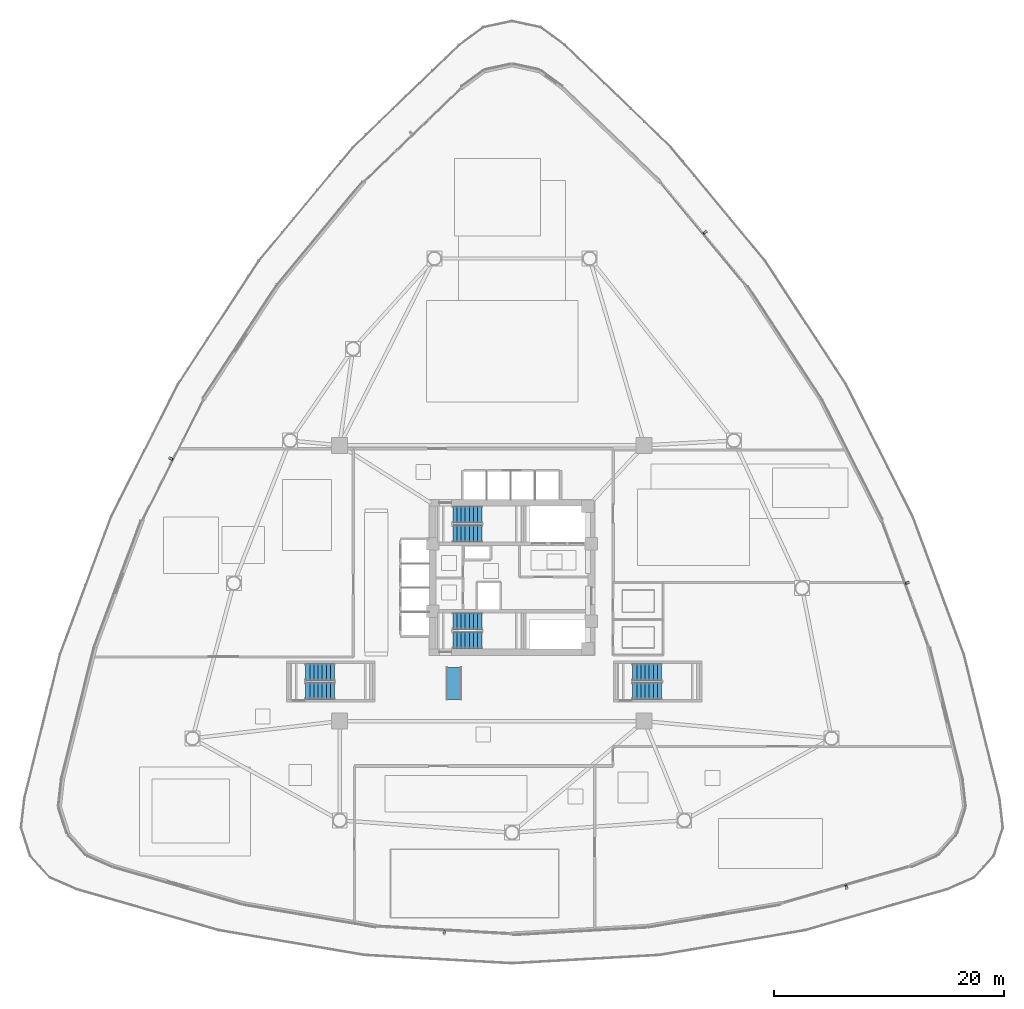
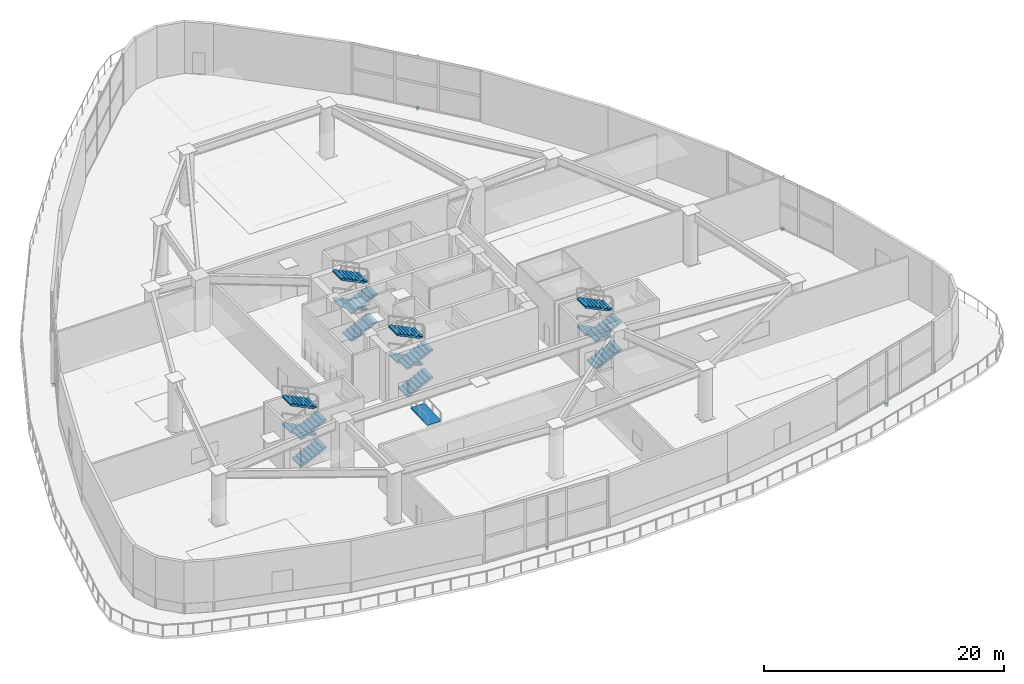
# One storey, part 16 of 26: 16 stair flights, 5 discrete accessories, 1 ramp flight, 5 elements without a shape of their own.
"""IFC4 building model written with IfcOpenShell, lengths in metres."""

import ifcopenshell
import ifcopenshell.guid

model = None  # the IFC model being written
_history = None  # IfcOwnerHistory: only IFC2X3 demands one
_inside = {}  # id of a spatial element -> (the spatial element, [elements in it])
_under = {}  # id of a project, library or spatial element -> (it, [spatial elements below it])
_declared = {}  # id of a project -> (the project, [libraries it declares])
_typed = {}  # id of a type object -> (the type object, [elements of that type])
_made_of = {}  # id of a material, layer set ... -> (it, [elements and type objects made of it])


def new_model(schema):
    """Start an empty IFC model of exactly this schema.

    Asked for "IFC4X3", IfcOpenShell would pick the latest addendum, in which some entities
    have other attributes; the version numbers below select the first issue.
    IFC2X3 requires an IfcOwnerHistory on every rooted entity: one is made here for all.
    """
    global model, _history
    if schema == "IFC4X3":
        model = ifcopenshell.file(schema_version=(4, 3, 0, 0))
    else:
        model = ifcopenshell.file(schema=schema)
    _inside.clear()
    _under.clear()
    _declared.clear()
    _typed.clear()
    _made_of.clear()
    _history = None
    if model.schema == "IFC2X3":
        org = make("IfcOrganization", Name="unknown")
        user = make(
            "IfcPersonAndOrganization",
            ThePerson=make("IfcPerson", FamilyName="unknown"),
            TheOrganization=org,
        )
        app = make(
            "IfcApplication",
            ApplicationDeveloper=org,
            Version="unknown",
            ApplicationFullName="unknown",
            ApplicationIdentifier="unknown",
        )
        _history = make(
            "IfcOwnerHistory",
            OwningUser=user,
            OwningApplication=app,
            ChangeAction="ADDED",
            CreationDate=0,
        )
    return model


def make(cls, **values):
    """One entity of the class cls with the attributes given. An attribute that is None is left unset."""
    return model.create_entity(
        cls, **{name: value for name, value in values.items() if value is not None}
    )


def rooted(cls, **values):
    """An entity with a GlobalId (a new one), such as an element, a storey or a relation."""
    return make(cls, GlobalId=ifcopenshell.guid.new(), OwnerHistory=_history, **values)


def si_unit(unit_type, name, prefix=None):
    """IfcSIUnit, for example si_unit("LENGTHUNIT", "METRE", prefix="MILLI")."""
    return make("IfcSIUnit", UnitType=unit_type, Prefix=prefix, Name=name)


def assignment(units):
    """IfcUnitAssignment: the units of a project."""
    return None if units is None else make("IfcUnitAssignment", Units=units)


def point(xyz):
    """IfcCartesianPoint."""
    return None if xyz is None else make("IfcCartesianPoint", Coordinates=xyz)


def direction(xyz):
    """IfcDirection."""
    return None if xyz is None else make("IfcDirection", DirectionRatios=xyz)


def frame(location, z_axis=None, x_axis=None):
    """IfcAxis2Placement3D, a coordinate frame: its origin and axes. An axis left out is left unset."""
    return make(
        "IfcAxis2Placement3D",
        Location=point(location),
        Axis=direction(z_axis),
        RefDirection=direction(x_axis),
    )


def frame_2d(location, x_axis=None):
    """IfcAxis2Placement2D, a coordinate frame in the plane: its origin and x axis."""
    return make(
        "IfcAxis2Placement2D", Location=point(location), RefDirection=direction(x_axis)
    )


def origin():
    """The frame at (0, 0, 0) with its axes left unset."""
    return frame((0.0, 0.0, 0.0))


def origin_2d():
    """The frame at (0, 0) in the plane with its x axis left unset."""
    return frame_2d((0.0, 0.0))


def place(relative_to, where):
    """IfcLocalPlacement: puts the frame where relative to a parent placement (None: the world)."""
    return make(
        "IfcLocalPlacement", PlacementRelTo=relative_to, RelativePlacement=where
    )


def context(
    kind, dimensions, precision=None, world=None, true_north=None, identifier=None
):
    """IfcGeometricRepresentationContext, for example the 3D "Model" context."""
    return make(
        "IfcGeometricRepresentationContext",
        ContextIdentifier=identifier,
        ContextType=kind,
        CoordinateSpaceDimension=dimensions,
        Precision=precision,
        WorldCoordinateSystem=world,
        TrueNorth=true_north,
    )


def subcontext(parent, identifier, kind, view, scale=None):
    """IfcGeometricRepresentationSubContext, for example "Body" below "Model"."""
    return make(
        "IfcGeometricRepresentationSubContext",
        ContextIdentifier=identifier,
        ContextType=kind,
        ParentContext=parent,
        TargetScale=scale,
        TargetView=view,
    )


def project(units=None, contexts=None):
    """IfcProject with its units and contexts."""
    return rooted(
        "IfcProject",
        Name="project",
        RepresentationContexts=contexts,
        UnitsInContext=assignment(units),
    )


def spatial(cls, under=None, at=None, **own):
    """A site, building, storey or space (cls), placed at a placement, below another one or the project."""
    s = rooted(cls, ObjectPlacement=at, **own)
    if under is not None:
        _under.setdefault(under.id(), (under, []))[1].append(s)
    return s


def polyline(points):
    """IfcPolyline through the points."""
    return make("IfcPolyline", Points=[point(p) for p in points])


def profile(cls, at=None, kind="AREA", **sizes):
    """A parametric profile (cls). Its sizes go by their IFC names, for example OverallWidth=200.0."""
    return make(cls, ProfileType=kind, Position=at, **sizes)


def rectangle(**sizes):
    """IfcRectangleProfileDef."""
    return profile("IfcRectangleProfileDef", **sizes)


def outline(outer, holes=None, kind="AREA"):
    """IfcArbitraryClosedProfileDef: a profile drawn as a closed curve; with holes, ...WithVoids."""
    if holes is None:
        return make("IfcArbitraryClosedProfileDef", ProfileType=kind, OuterCurve=outer)
    return make(
        "IfcArbitraryProfileDefWithVoids",
        ProfileType=kind,
        OuterCurve=outer,
        InnerCurves=holes,
    )


def extrude(swept, where, along, depth):
    """IfcExtrudedAreaSolid: the profile swept, set in the frame where, extruded along a direction by depth."""
    return make(
        "IfcExtrudedAreaSolid",
        SweptArea=swept,
        Position=where,
        ExtrudedDirection=direction(along),
        Depth=depth,
    )


def shape(context_of_items, identifier, shape_type, items):
    """IfcShapeRepresentation: the items that make up one representation, for example the "Body"."""
    return make(
        "IfcShapeRepresentation",
        ContextOfItems=context_of_items,
        RepresentationIdentifier=identifier,
        RepresentationType=shape_type,
        Items=items,
    )


def source(mapping_origin, context_of_items, identifier, shape_type, items):
    """IfcRepresentationMap: a shape defined once, which mapped items show again and again."""
    return make(
        "IfcRepresentationMap",
        MappingOrigin=mapping_origin,
        MappedRepresentation=shape(context_of_items, identifier, shape_type, items),
    )


def transform(
    local_origin,
    x_axis=None,
    y_axis=None,
    z_axis=None,
    scale=None,
    scale2=None,
    scale3=None,
    uniform=True,
):
    """IfcCartesianTransformationOperator3D, or its non-uniform kind. x_axis, y_axis, z_axis: its Axis1, 2, 3."""
    if uniform:
        return make(
            "IfcCartesianTransformationOperator3D",
            Axis1=direction(x_axis),
            Axis2=direction(y_axis),
            LocalOrigin=point(local_origin),
            Scale=scale,
            Axis3=direction(z_axis),
        )
    return make(
        "IfcCartesianTransformationOperator3DnonUniform",
        Axis1=direction(x_axis),
        Axis2=direction(y_axis),
        LocalOrigin=point(local_origin),
        Scale=scale,
        Axis3=direction(z_axis),
        Scale2=scale2,
        Scale3=scale3,
    )


def mapped(mapping_source, mapping_target):
    """IfcMappedItem: shows the shape of a source again, moved by a transform."""
    return make(
        "IfcMappedItem", MappingSource=mapping_source, MappingTarget=mapping_target
    )


def material(Name=None, Category=None):
    """IfcMaterial."""
    return make("IfcMaterial", Name=Name, Category=Category)


def layer(
    of_material, thickness, ventilated=None, Name=None, Category=None, Priority=None
):
    """IfcMaterialLayer: one layer of a wall or slab, of a material (None: an air gap)."""
    return make(
        "IfcMaterialLayer",
        Material=of_material,
        LayerThickness=thickness,
        IsVentilated=ventilated,
        Name=Name,
        Category=Category,
        Priority=Priority,
    )


def layer_set(layers, Name=None):
    """IfcMaterialLayerSet."""
    return make("IfcMaterialLayerSet", MaterialLayers=layers, LayerSetName=Name)


def made_of(thing, what):
    """Note that an element or type object is made of a material, layer set ...; save() writes the relation."""
    if what is not None:
        _made_of.setdefault(what.id(), (what, []))[1].append(thing)
    return thing


def type_object(cls, material=None, **own):
    """A type object (cls), such as IfcWallType, which elements share."""
    return made_of(rooted(cls, **own), material)


def type_shapes(of_type, sources):
    """Give a type object the sources (RepresentationMaps) that its elements show as mapped items."""
    of_type.RepresentationMaps = sources


def element(
    cls,
    number,
    at=None,
    inside=None,
    cuts=None,
    type_object=None,
    material=None,
    context=None,
    identifier="Body",
    shape_type=None,
    held_by="IfcProductDefinitionShape",
    body=None,
    shapes=None,
    **own,
):
    """One element of the class cls, such as IfcWall. Its Tag is "e" and its number.

    at: its placement. inside: the storey or other place that contains it. cuts: it is an
    opening in that element (IfcRelVoidsElement). A single representation is given by context,
    identifier, shape_type and body (its items); several are given by shapes. held_by: the class
    of the entity that holds the representations. save() writes the other relations.
    """
    e = rooted(cls, Tag="e%d" % number, ObjectPlacement=at, **own)
    if body is not None:
        shapes = [shape(context, identifier, shape_type, body)]
    if shapes is not None:
        e.Representation = make(held_by, Representations=shapes)
    if inside is not None:
        _inside.setdefault(inside.id(), (inside, []))[1].append(e)
    if cuts is not None:
        rooted(
            "IfcRelVoidsElement", RelatingBuildingElement=cuts, RelatedOpeningElement=e
        )
    if type_object is not None:
        _typed.setdefault(type_object.id(), (type_object, []))[1].append(e)
    return made_of(e, material)


def aggregate(whole, parts):
    """IfcRelAggregates: a whole, such as a stair, and the parts it consists of."""
    return rooted("IfcRelAggregates", RelatingObject=whole, RelatedObjects=parts)


def save(model, path):
    """Write the relations noted so far, then the file.

    IfcRelAggregates (storeys below a building ...), IfcRelContainedInSpatialStructure (elements
    in a storey), IfcRelDefinesByType, IfcRelAssociatesMaterial and IfcRelDeclares: one each for
    every whole, place, type object, material and project.
    """
    for whole, parts in _under.values():
        aggregate(whole, parts)
    for where, things in _inside.values():
        rooted(
            "IfcRelContainedInSpatialStructure",
            RelatedElements=things,
            RelatingStructure=where,
        )
    for kind, things in _typed.values():
        rooted("IfcRelDefinesByType", RelatedObjects=things, RelatingType=kind)
    for what, things in _made_of.values():
        rooted("IfcRelAssociatesMaterial", RelatedObjects=things, RelatingMaterial=what)
    for by, libraries in _declared.values():
        rooted("IfcRelDeclares", RelatingContext=by, RelatedDefinitions=libraries)
    model.write(path)


model = new_model("IFC4")

# Units and contexts
model_context = context("Model", 3, precision=1e-05, world=origin(), true_north=direction((0.0, 1.0)))
body_context = subcontext(model_context, "Body", "Model", "MODEL_VIEW")
ifc_project = project(units=[si_unit("LENGTHUNIT", "METRE"), si_unit("AREAUNIT", "SQUARE_METRE"), si_unit("VOLUMEUNIT", "CUBIC_METRE"), si_unit("PLANEANGLEUNIT", "RADIAN"), si_unit("MASSUNIT", "GRAM", prefix="KILO")], contexts=[model_context])

# Site, building, storey
site_placement = place(None, origin())
site = spatial("IfcSite", under=ifc_project, at=site_placement, CompositionType="ELEMENT")
building_placement = place(site_placement, origin())
building = spatial("IfcBuilding", under=site, at=building_placement, Name="Tavelor Broadcast Tower", CompositionType="ELEMENT")
storey_placement = place(building_placement, frame((0.0, 0.0, 5.800048828125)))
storey = spatial("IfcBuildingStorey", under=building, at=storey_placement, Name="L01", CompositionType="ELEMENT", Elevation=5.800048828125)

# Stair, stair flights
ifc_material_1 = material(Name="Concrete C40/50", Category="concrete")
stair_type = type_object("IfcStairType", Name="Reinforced Concrete Protected Dogleg Stair 1450 mm", PredefinedType="HALF_TURN_STAIR", material=ifc_material_1)
stair_1_placement = place(storey_placement, origin())
stair_1 = element("IfcStair", 1, at=stair_1_placement, inside=storey, type_object=stair_type, Name="L01 Protected Core Exit Stair ST1", PredefinedType="HALF_TURN_STAIR")
stair_flight_type = type_object("IfcStairFlightType", Name="Reinforced Concrete Stair Flight 1450 mm", PredefinedType="STRAIGHT", material=ifc_material_1)
stair_flight_1_placement = place(storey_placement, frame((44.85009765625, 48.824951171875, 0.0), z_axis=(0.0, 0.0, 1.0), x_axis=(1.0, 0.0, 0.0)))
stair_flight_1 = element("IfcStairFlight", 2, at=stair_flight_1_placement, type_object=stair_flight_type, Name="ST1 flight 1", NumberOfRisers=8, NumberOfTreads=7, PredefinedType="STRAIGHT", RiserHeight=0.175, TreadLength=0.36, context=body_context, shape_type="SweptSolid", body=[
    extrude(outline(polyline([(0.0, 0.0), (0.0, 0.175048828125), (0.360107421875, 0.175048828125), (0.360107421875, 0.35009765625), (0.719970703125, 0.35009765625), (0.719970703125, 0.52490234375), (1.080078125, 0.52490234375), (1.080078125, 0.699951171875), (1.43994140625, 0.699951171875), (1.43994140625, 0.875), (1.800048828125, 0.875), (1.800048828125, 1.050048828125), (2.159912109375, 1.050048828125), (2.159912109375, 1.22509765625), (2.52001953125, 1.22509765625), (2.52001953125, 1.39990234375), (2.52001953125, 1.058349609375), (0.3427734375, 0.0), (0.0, 0.0)])), frame((0.0, 0.72509765625, 0.0), z_axis=(0.0, -1.0, 0.0), x_axis=(1.0, 0.0, 0.0)), (0.0, 0.0, 1.0), 1.449951171875),
])
stair_flight_2_placement = place(storey_placement, frame((47.3701171875, 50.47509765625, 1.39990234375), z_axis=(0.0, 0.0, 1.0), x_axis=(-1.0, 0.0, 0.0)))
stair_flight_2 = element("IfcStairFlight", 3, at=stair_flight_2_placement, type_object=stair_flight_type, Name="ST1 flight 2", NumberOfRisers=8, NumberOfTreads=7, PredefinedType="STRAIGHT", RiserHeight=0.175, TreadLength=0.36, context=body_context, shape_type="SweptSolid", body=[
    extrude(outline(polyline([(0.0, 0.0), (0.0, 0.175048828125), (0.360107421875, 0.175048828125), (0.360107421875, 0.35009765625), (0.719970703125, 0.35009765625), (0.719970703125, 0.52490234375), (1.080078125, 0.52490234375), (1.080078125, 0.699951171875), (1.43994140625, 0.699951171875), (1.43994140625, 0.875), (1.800048828125, 0.875), (1.800048828125, 1.050048828125), (2.159912109375, 1.050048828125), (2.159912109375, 1.22509765625), (2.52001953125, 1.22509765625), (2.52001953125, 1.39990234375), (2.52001953125, 1.058349609375), (0.3427734375, 0.0), (0.0, 0.0)])), frame((0.0, 0.72509765625, 0.0), z_axis=(0.0, -1.0, 0.0), x_axis=(1.0, 0.0, 0.0)), (0.0, 0.0, 1.0), 1.449951171875),
])
stair_flight_3_placement = place(storey_placement, frame((44.85009765625, 48.824951171875, 2.800048828125), z_axis=(0.0, 0.0, 1.0), x_axis=(1.0, 0.0, 0.0)))
stair_flight_3 = element("IfcStairFlight", 4, at=stair_flight_3_placement, type_object=stair_flight_type, Name="ST1 flight 3", NumberOfRisers=8, NumberOfTreads=7, PredefinedType="STRAIGHT", RiserHeight=0.175, TreadLength=0.36, context=body_context, shape_type="SweptSolid", body=[
    extrude(outline(polyline([(0.0, 0.0), (0.0, 0.175048828125), (0.360107421875, 0.175048828125), (0.360107421875, 0.35009765625), (0.719970703125, 0.35009765625), (0.719970703125, 0.52490234375), (1.080078125, 0.52490234375), (1.080078125, 0.699951171875), (1.43994140625, 0.699951171875), (1.43994140625, 0.875), (1.800048828125, 0.875), (1.800048828125, 1.050048828125), (2.159912109375, 1.050048828125), (2.159912109375, 1.22509765625), (2.52001953125, 1.22509765625), (2.52001953125, 1.39990234375), (2.52001953125, 1.058349609375), (0.3427734375, 0.0), (0.0, 0.0)])), frame((0.0, 0.72509765625, 0.0), z_axis=(0.0, -1.0, 0.0), x_axis=(1.0, 0.0, 0.0)), (0.0, 0.0, 1.0), 1.449951171875),
])
stair_flight_4_placement = place(storey_placement, frame((47.3701171875, 50.47509765625, 4.199951171875), z_axis=(0.0, 0.0, 1.0), x_axis=(-1.0, 0.0, 0.0)))
stair_flight_4 = element("IfcStairFlight", 5, at=stair_flight_4_placement, type_object=stair_flight_type, Name="ST1 flight 4", NumberOfRisers=8, NumberOfTreads=7, PredefinedType="STRAIGHT", RiserHeight=0.175, TreadLength=0.36, context=body_context, shape_type="SweptSolid", body=[
    extrude(outline(polyline([(0.0, 0.0), (0.0, 0.175048828125), (0.360107421875, 0.175048828125), (0.360107421875, 0.35009765625), (0.719970703125, 0.35009765625), (0.719970703125, 0.52490234375), (1.080078125, 0.52490234375), (1.080078125, 0.699951171875), (1.43994140625, 0.699951171875), (1.43994140625, 0.875), (1.800048828125, 0.875), (1.800048828125, 1.050048828125), (2.159912109375, 1.050048828125), (2.159912109375, 1.22509765625), (2.52001953125, 1.22509765625), (2.52001953125, 1.39990234375), (2.52001953125, 1.058349609375), (0.3427734375, 0.0), (0.0, 0.0)])), frame((0.0, 0.72509765625, 0.0), z_axis=(0.0, -1.0, 0.0), x_axis=(1.0, 0.0, 0.0)), (0.0, 0.0, 1.0), 1.449951171875),
])
aggregate(stair_1, [stair_flight_1, stair_flight_2, stair_flight_3, stair_flight_4])

stair_2_placement = place(storey_placement, origin())
stair_2 = element("IfcStair", 6, at=stair_2_placement, inside=storey, type_object=stair_type, Name="L01 Protected Core Exit Stair ST2", PredefinedType="HALF_TURN_STAIR")
stair_flight_5_placement = place(storey_placement, frame((44.85009765625, 39.52490234375, 0.0), z_axis=(0.0, 0.0, 1.0), x_axis=(1.0, 0.0, 0.0)))
stair_flight_5 = element("IfcStairFlight", 7, at=stair_flight_5_placement, type_object=stair_flight_type, Name="ST2 flight 1", NumberOfRisers=8, NumberOfTreads=7, PredefinedType="STRAIGHT", RiserHeight=0.175, TreadLength=0.36, context=body_context, shape_type="SweptSolid", body=[
    extrude(outline(polyline([(0.0, 0.0), (0.0, 0.175048828125), (0.360107421875, 0.175048828125), (0.360107421875, 0.35009765625), (0.719970703125, 0.35009765625), (0.719970703125, 0.52490234375), (1.080078125, 0.52490234375), (1.080078125, 0.699951171875), (1.43994140625, 0.699951171875), (1.43994140625, 0.875), (1.800048828125, 0.875), (1.800048828125, 1.050048828125), (2.159912109375, 1.050048828125), (2.159912109375, 1.22509765625), (2.52001953125, 1.22509765625), (2.52001953125, 1.39990234375), (2.52001953125, 1.058349609375), (0.3427734375, 0.0), (0.0, 0.0)])), frame((0.0, 0.72509765625, 0.0), z_axis=(0.0, -1.0, 0.0), x_axis=(1.0, 0.0, 0.0)), (0.0, 0.0, 1.0), 1.449951171875),
])
stair_flight_6_placement = place(storey_placement, frame((47.3701171875, 41.175048828125, 1.39990234375), z_axis=(0.0, 0.0, 1.0), x_axis=(-1.0, 0.0, 0.0)))
stair_flight_6 = element("IfcStairFlight", 8, at=stair_flight_6_placement, type_object=stair_flight_type, Name="ST2 flight 2", NumberOfRisers=8, NumberOfTreads=7, PredefinedType="STRAIGHT", RiserHeight=0.175, TreadLength=0.36, context=body_context, shape_type="SweptSolid", body=[
    extrude(outline(polyline([(0.0, 0.0), (0.0, 0.175048828125), (0.360107421875, 0.175048828125), (0.360107421875, 0.35009765625), (0.719970703125, 0.35009765625), (0.719970703125, 0.52490234375), (1.080078125, 0.52490234375), (1.080078125, 0.699951171875), (1.43994140625, 0.699951171875), (1.43994140625, 0.875), (1.800048828125, 0.875), (1.800048828125, 1.050048828125), (2.159912109375, 1.050048828125), (2.159912109375, 1.22509765625), (2.52001953125, 1.22509765625), (2.52001953125, 1.39990234375), (2.52001953125, 1.058349609375), (0.3427734375, 0.0), (0.0, 0.0)])), frame((0.0, 0.72509765625, 0.0), z_axis=(0.0, -1.0, 0.0), x_axis=(1.0, 0.0, 0.0)), (0.0, 0.0, 1.0), 1.449951171875),
])
stair_flight_7_placement = place(storey_placement, frame((44.85009765625, 39.52490234375, 2.800048828125), z_axis=(0.0, 0.0, 1.0), x_axis=(1.0, 0.0, 0.0)))
stair_flight_7 = element("IfcStairFlight", 9, at=stair_flight_7_placement, type_object=stair_flight_type, Name="ST2 flight 3", NumberOfRisers=8, NumberOfTreads=7, PredefinedType="STRAIGHT", RiserHeight=0.175, TreadLength=0.36, context=body_context, shape_type="SweptSolid", body=[
    extrude(outline(polyline([(0.0, 0.0), (0.0, 0.175048828125), (0.360107421875, 0.175048828125), (0.360107421875, 0.35009765625), (0.719970703125, 0.35009765625), (0.719970703125, 0.52490234375), (1.080078125, 0.52490234375), (1.080078125, 0.699951171875), (1.43994140625, 0.699951171875), (1.43994140625, 0.875), (1.800048828125, 0.875), (1.800048828125, 1.050048828125), (2.159912109375, 1.050048828125), (2.159912109375, 1.22509765625), (2.52001953125, 1.22509765625), (2.52001953125, 1.39990234375), (2.52001953125, 1.058349609375), (0.3427734375, 0.0), (0.0, 0.0)])), frame((0.0, 0.72509765625, 0.0), z_axis=(0.0, -1.0, 0.0), x_axis=(1.0, 0.0, 0.0)), (0.0, 0.0, 1.0), 1.449951171875),
])
stair_flight_8_placement = place(storey_placement, frame((47.3701171875, 41.175048828125, 4.199951171875), z_axis=(0.0, 0.0, 1.0), x_axis=(-1.0, 0.0, 0.0)))
stair_flight_8 = element("IfcStairFlight", 10, at=stair_flight_8_placement, type_object=stair_flight_type, Name="ST2 flight 4", NumberOfRisers=8, NumberOfTreads=7, PredefinedType="STRAIGHT", RiserHeight=0.175, TreadLength=0.36, context=body_context, shape_type="SweptSolid", body=[
    extrude(outline(polyline([(0.0, 0.0), (0.0, 0.175048828125), (0.360107421875, 0.175048828125), (0.360107421875, 0.35009765625), (0.719970703125, 0.35009765625), (0.719970703125, 0.52490234375), (1.080078125, 0.52490234375), (1.080078125, 0.699951171875), (1.43994140625, 0.699951171875), (1.43994140625, 0.875), (1.800048828125, 0.875), (1.800048828125, 1.050048828125), (2.159912109375, 1.050048828125), (2.159912109375, 1.22509765625), (2.52001953125, 1.22509765625), (2.52001953125, 1.39990234375), (2.52001953125, 1.058349609375), (0.3427734375, 0.0), (0.0, 0.0)])), frame((0.0, 0.72509765625, 0.0), z_axis=(0.0, -1.0, 0.0), x_axis=(1.0, 0.0, 0.0)), (0.0, 0.0, 1.0), 1.449951171875),
])
aggregate(stair_2, [stair_flight_5, stair_flight_6, stair_flight_7, stair_flight_8])

stair_3_placement = place(storey_placement, origin())
stair_3 = element("IfcStair", 11, at=stair_3_placement, inside=storey, type_object=stair_type, Name="L01 Podium West Exit Stair ST3", PredefinedType="HALF_TURN_STAIR")
stair_flight_9_placement = place(storey_placement, frame((32.050048828125, 35.125, 0.0), z_axis=(0.0, 0.0, 1.0), x_axis=(1.0, 0.0, 0.0)))
stair_flight_9 = element("IfcStairFlight", 12, at=stair_flight_9_placement, type_object=stair_flight_type, Name="ST3 flight 1", NumberOfRisers=8, NumberOfTreads=7, PredefinedType="STRAIGHT", RiserHeight=0.175, TreadLength=0.36, context=body_context, shape_type="SweptSolid", body=[
    extrude(outline(polyline([(0.0, 0.0), (0.0, 0.175048828125), (0.360107421875, 0.175048828125), (0.360107421875, 0.35009765625), (0.719970703125, 0.35009765625), (0.719970703125, 0.52490234375), (1.080078125, 0.52490234375), (1.080078125, 0.699951171875), (1.43994140625, 0.699951171875), (1.43994140625, 0.875), (1.800048828125, 0.875), (1.800048828125, 1.050048828125), (2.159912109375, 1.050048828125), (2.159912109375, 1.22509765625), (2.52001953125, 1.22509765625), (2.52001953125, 1.39990234375), (2.52001953125, 1.058349609375), (0.3427734375, 0.0), (0.0, 0.0)])), frame((0.0, 0.72509765625, 0.0), z_axis=(0.0, -1.0, 0.0), x_axis=(1.0, 0.0, 0.0)), (0.0, 0.0, 1.0), 1.449951171875),
])
stair_flight_10_placement = place(storey_placement, frame((34.570068359375, 36.77490234375, 1.39990234375), z_axis=(0.0, 0.0, 1.0), x_axis=(-1.0, 0.0, 0.0)))
stair_flight_10 = element("IfcStairFlight", 13, at=stair_flight_10_placement, type_object=stair_flight_type, Name="ST3 flight 2", NumberOfRisers=8, NumberOfTreads=7, PredefinedType="STRAIGHT", RiserHeight=0.175, TreadLength=0.36, context=body_context, shape_type="SweptSolid", body=[
    extrude(outline(polyline([(0.0, 0.0), (0.0, 0.175048828125), (0.360107421875, 0.175048828125), (0.360107421875, 0.35009765625), (0.719970703125, 0.35009765625), (0.719970703125, 0.52490234375), (1.080078125, 0.52490234375), (1.080078125, 0.699951171875), (1.43994140625, 0.699951171875), (1.43994140625, 0.875), (1.800048828125, 0.875), (1.800048828125, 1.050048828125), (2.159912109375, 1.050048828125), (2.159912109375, 1.22509765625), (2.52001953125, 1.22509765625), (2.52001953125, 1.39990234375), (2.52001953125, 1.058349609375), (0.3427734375, 0.0), (0.0, 0.0)])), frame((0.0, 0.72509765625, 0.0), z_axis=(0.0, -1.0, 0.0), x_axis=(1.0, 0.0, 0.0)), (0.0, 0.0, 1.0), 1.449951171875),
])
stair_flight_11_placement = place(storey_placement, frame((32.050048828125, 35.125, 2.800048828125), z_axis=(0.0, 0.0, 1.0), x_axis=(1.0, 0.0, 0.0)))
stair_flight_11 = element("IfcStairFlight", 14, at=stair_flight_11_placement, type_object=stair_flight_type, Name="ST3 flight 3", NumberOfRisers=8, NumberOfTreads=7, PredefinedType="STRAIGHT", RiserHeight=0.175, TreadLength=0.36, context=body_context, shape_type="SweptSolid", body=[
    extrude(outline(polyline([(0.0, 0.0), (0.0, 0.175048828125), (0.360107421875, 0.175048828125), (0.360107421875, 0.35009765625), (0.719970703125, 0.35009765625), (0.719970703125, 0.52490234375), (1.080078125, 0.52490234375), (1.080078125, 0.699951171875), (1.43994140625, 0.699951171875), (1.43994140625, 0.875), (1.800048828125, 0.875), (1.800048828125, 1.050048828125), (2.159912109375, 1.050048828125), (2.159912109375, 1.22509765625), (2.52001953125, 1.22509765625), (2.52001953125, 1.39990234375), (2.52001953125, 1.058349609375), (0.3427734375, 0.0), (0.0, 0.0)])), frame((0.0, 0.72509765625, 0.0), z_axis=(0.0, -1.0, 0.0), x_axis=(1.0, 0.0, 0.0)), (0.0, 0.0, 1.0), 1.449951171875),
])
stair_flight_12_placement = place(storey_placement, frame((34.570068359375, 36.77490234375, 4.199951171875), z_axis=(0.0, 0.0, 1.0), x_axis=(-1.0, 0.0, 0.0)))
stair_flight_12 = element("IfcStairFlight", 15, at=stair_flight_12_placement, type_object=stair_flight_type, Name="ST3 flight 4", NumberOfRisers=8, NumberOfTreads=7, PredefinedType="STRAIGHT", RiserHeight=0.175, TreadLength=0.36, context=body_context, shape_type="SweptSolid", body=[
    extrude(outline(polyline([(0.0, 0.0), (0.0, 0.175048828125), (0.360107421875, 0.175048828125), (0.360107421875, 0.35009765625), (0.719970703125, 0.35009765625), (0.719970703125, 0.52490234375), (1.080078125, 0.52490234375), (1.080078125, 0.699951171875), (1.43994140625, 0.699951171875), (1.43994140625, 0.875), (1.800048828125, 0.875), (1.800048828125, 1.050048828125), (2.159912109375, 1.050048828125), (2.159912109375, 1.22509765625), (2.52001953125, 1.22509765625), (2.52001953125, 1.39990234375), (2.52001953125, 1.058349609375), (0.3427734375, 0.0), (0.0, 0.0)])), frame((0.0, 0.72509765625, 0.0), z_axis=(0.0, -1.0, 0.0), x_axis=(1.0, 0.0, 0.0)), (0.0, 0.0, 1.0), 1.449951171875),
])
aggregate(stair_3, [stair_flight_9, stair_flight_10, stair_flight_11, stair_flight_12])

stair_4_placement = place(storey_placement, origin())
stair_4 = element("IfcStair", 16, at=stair_4_placement, inside=storey, type_object=stair_type, Name="L01 Podium East Exit Stair ST4", PredefinedType="HALF_TURN_STAIR")
stair_flight_13_placement = place(storey_placement, frame((60.5, 35.125, 0.0), z_axis=(0.0, 0.0, 1.0), x_axis=(1.0, 0.0, 0.0)))
stair_flight_13 = element("IfcStairFlight", 17, at=stair_flight_13_placement, type_object=stair_flight_type, Name="ST4 flight 1", NumberOfRisers=8, NumberOfTreads=7, PredefinedType="STRAIGHT", RiserHeight=0.175, TreadLength=0.36, context=body_context, shape_type="SweptSolid", body=[
    extrude(outline(polyline([(0.0, 0.0), (0.0, 0.175048828125), (0.360107421875, 0.175048828125), (0.360107421875, 0.35009765625), (0.719970703125, 0.35009765625), (0.719970703125, 0.52490234375), (1.080078125, 0.52490234375), (1.080078125, 0.699951171875), (1.43994140625, 0.699951171875), (1.43994140625, 0.875), (1.800048828125, 0.875), (1.800048828125, 1.050048828125), (2.159912109375, 1.050048828125), (2.159912109375, 1.22509765625), (2.52001953125, 1.22509765625), (2.52001953125, 1.39990234375), (2.52001953125, 1.058349609375), (0.3427734375, 0.0), (0.0, 0.0)])), frame((0.0, 0.72509765625, 0.0), z_axis=(0.0, -1.0, 0.0), x_axis=(1.0, 0.0, 0.0)), (0.0, 0.0, 1.0), 1.449951171875),
])
stair_flight_14_placement = place(storey_placement, frame((63.02001953125, 36.77490234375, 1.39990234375), z_axis=(0.0, 0.0, 1.0), x_axis=(-1.0, 0.0, 0.0)))
stair_flight_14 = element("IfcStairFlight", 18, at=stair_flight_14_placement, type_object=stair_flight_type, Name="ST4 flight 2", NumberOfRisers=8, NumberOfTreads=7, PredefinedType="STRAIGHT", RiserHeight=0.175, TreadLength=0.36, context=body_context, shape_type="SweptSolid", body=[
    extrude(outline(polyline([(0.0, 0.0), (0.0, 0.175048828125), (0.360107421875, 0.175048828125), (0.360107421875, 0.35009765625), (0.719970703125, 0.35009765625), (0.719970703125, 0.52490234375), (1.080078125, 0.52490234375), (1.080078125, 0.699951171875), (1.43994140625, 0.699951171875), (1.43994140625, 0.875), (1.800048828125, 0.875), (1.800048828125, 1.050048828125), (2.159912109375, 1.050048828125), (2.159912109375, 1.22509765625), (2.52001953125, 1.22509765625), (2.52001953125, 1.39990234375), (2.52001953125, 1.058349609375), (0.3427734375, 0.0), (0.0, 0.0)])), frame((0.0, 0.72509765625, 0.0), z_axis=(0.0, -1.0, 0.0), x_axis=(1.0, 0.0, 0.0)), (0.0, 0.0, 1.0), 1.449951171875),
])
stair_flight_15_placement = place(storey_placement, frame((60.5, 35.125, 2.800048828125), z_axis=(0.0, 0.0, 1.0), x_axis=(1.0, 0.0, 0.0)))
stair_flight_15 = element("IfcStairFlight", 19, at=stair_flight_15_placement, type_object=stair_flight_type, Name="ST4 flight 3", NumberOfRisers=8, NumberOfTreads=7, PredefinedType="STRAIGHT", RiserHeight=0.175, TreadLength=0.36, context=body_context, shape_type="SweptSolid", body=[
    extrude(outline(polyline([(0.0, 0.0), (0.0, 0.175048828125), (0.360107421875, 0.175048828125), (0.360107421875, 0.35009765625), (0.719970703125, 0.35009765625), (0.719970703125, 0.52490234375), (1.080078125, 0.52490234375), (1.080078125, 0.699951171875), (1.43994140625, 0.699951171875), (1.43994140625, 0.875), (1.800048828125, 0.875), (1.800048828125, 1.050048828125), (2.159912109375, 1.050048828125), (2.159912109375, 1.22509765625), (2.52001953125, 1.22509765625), (2.52001953125, 1.39990234375), (2.52001953125, 1.058349609375), (0.3427734375, 0.0), (0.0, 0.0)])), frame((0.0, 0.72509765625, 0.0), z_axis=(0.0, -1.0, 0.0), x_axis=(1.0, 0.0, 0.0)), (0.0, 0.0, 1.0), 1.449951171875),
])
stair_flight_16_placement = place(storey_placement, frame((63.02001953125, 36.77490234375, 4.199951171875), z_axis=(0.0, 0.0, 1.0), x_axis=(-1.0, 0.0, 0.0)))
stair_flight_16 = element("IfcStairFlight", 20, at=stair_flight_16_placement, type_object=stair_flight_type, Name="ST4 flight 4", NumberOfRisers=8, NumberOfTreads=7, PredefinedType="STRAIGHT", RiserHeight=0.175, TreadLength=0.36, context=body_context, shape_type="SweptSolid", body=[
    extrude(outline(polyline([(0.0, 0.0), (0.0, 0.175048828125), (0.360107421875, 0.175048828125), (0.360107421875, 0.35009765625), (0.719970703125, 0.35009765625), (0.719970703125, 0.52490234375), (1.080078125, 0.52490234375), (1.080078125, 0.699951171875), (1.43994140625, 0.699951171875), (1.43994140625, 0.875), (1.800048828125, 0.875), (1.800048828125, 1.050048828125), (2.159912109375, 1.050048828125), (2.159912109375, 1.22509765625), (2.52001953125, 1.22509765625), (2.52001953125, 1.39990234375), (2.52001953125, 1.058349609375), (0.3427734375, 0.0), (0.0, 0.0)])), frame((0.0, 0.72509765625, 0.0), z_axis=(0.0, -1.0, 0.0), x_axis=(1.0, 0.0, 0.0)), (0.0, 0.0, 1.0), 1.449951171875),
])
aggregate(stair_4, [stair_flight_13, stair_flight_14, stair_flight_15, stair_flight_16])

# Ramp, ramp flight
ramp_type = type_object("IfcRampType", Name="Accessible Step-Free Studio Threshold Ramp 1600 mm", PredefinedType="STRAIGHT_RUN_RAMP", material=ifc_material_1)
ramp_placement = place(storey_placement, origin())
ramp = element("IfcRamp", 21, at=ramp_placement, inside=storey, type_object=ramp_type, Name="L01 Accessible Pedestrian Concourse Ramp AR02", PredefinedType="STRAIGHT_RUN_RAMP")
ifc_layer = layer(ifc_material_1, 0.179931640625)
ifc_layer_set = layer_set([ifc_layer], Name="Concrete C40/50")
ramp_flight_type = type_object("IfcRampFlightType", Name="Accessible Studio Threshold Ramp Flight 180 mm", PredefinedType="STRAIGHT", material=ifc_layer_set)
ramp_flight_placement = place(storey_placement, frame((44.300048828125, 34.39990234375, 0.0), z_axis=(0.0, 0.0, 1.0), x_axis=(0.0, 1.0, 0.0)))
ramp_flight = element("IfcRampFlight", 22, at=ramp_flight_placement, type_object=ramp_flight_type, Name="L01 Accessible Pedestrian Ramp Flight AR02-F1", PredefinedType="STRAIGHT", context=body_context, shape_type="SweptSolid", body=[
    extrude(outline(polyline([(0.0, -0.179931640625), (2.75, -0.0400390625), (2.75, 0.139892578125), (0.0, 0.0), (0.0, -0.179931640625)])), frame((0.0, 0.0, 0.0), z_axis=(0.0, -1.0, 0.0), x_axis=(1.0, 0.0, 0.0)), (0.0, 0.0, 1.0), 1.320068359375),
])
aggregate(ramp, [ramp_flight])

# Discrete accessories
ifc_material_2 = material(Name="Steel S355", Category="steel")
discrete_accessory_type = type_object("IfcDiscreteAccessoryType", Name="Stainless Baguette Outrigger Support Bracket 260x180", PredefinedType="BRACKET", material=ifc_material_2)
shared_shape = source(origin(), body_context, "Body", "SweptSolid", [
    extrude(rectangle(XDim=0.179931640625, YDim=0.340087890625, at=origin_2d()), origin(), (0.0, 0.0, 1.0), 0.251953125),
])
type_shapes(discrete_accessory_type, [shared_shape])
for number, where, z_axis, x_axis, name in (
    (23, (20.3271484375, 55.328125, -0.301025390625), (0.0, 0.0, 1.0), (-0.450565941999, -0.892743150022, 0.0), "L01 Baguette Outrigger Bracket 2"),
    (24, (44.10791015625, 14.138427734375, -0.301025390625), (0.0, 0.0, 1.0), (0.998421217973, -0.05617002316, 0.0), "L01 Baguette Outrigger Bracket 3"),
    (25, (79.090576171875, 18.082275390625, -0.301025390625), (0.0, 0.0, 1.0), (0.960875896697, 0.276979261222, 0.0), "L01 Baguette Outrigger Bracket 4"),
    (26, (84.384765625, 44.52685546875, -0.301025390625), (0.0, 0.0, 1.0), (-0.347753981862, 0.937585819058, 0.0), "L01 Baguette Outrigger Bracket 5"),
    (27, (66.782470703125, 75.0146484375, -0.301025390625), (0.0, 0.0, 1.0), (-0.638096146601, 0.769956692089, 0.0), "L01 Baguette Outrigger Bracket 6"),
):
    element("IfcDiscreteAccessory", number, at=place(storey_placement, frame(where, z_axis=z_axis, x_axis=x_axis)), inside=storey, type_object=discrete_accessory_type, Name=name, PredefinedType="BRACKET", context=body_context, shape_type="MappedRepresentation", body=[
        mapped(shared_shape, transform((0.0, 0.0, 0.0), scale=1.0)),
    ])

save(model, "model.ifc")
